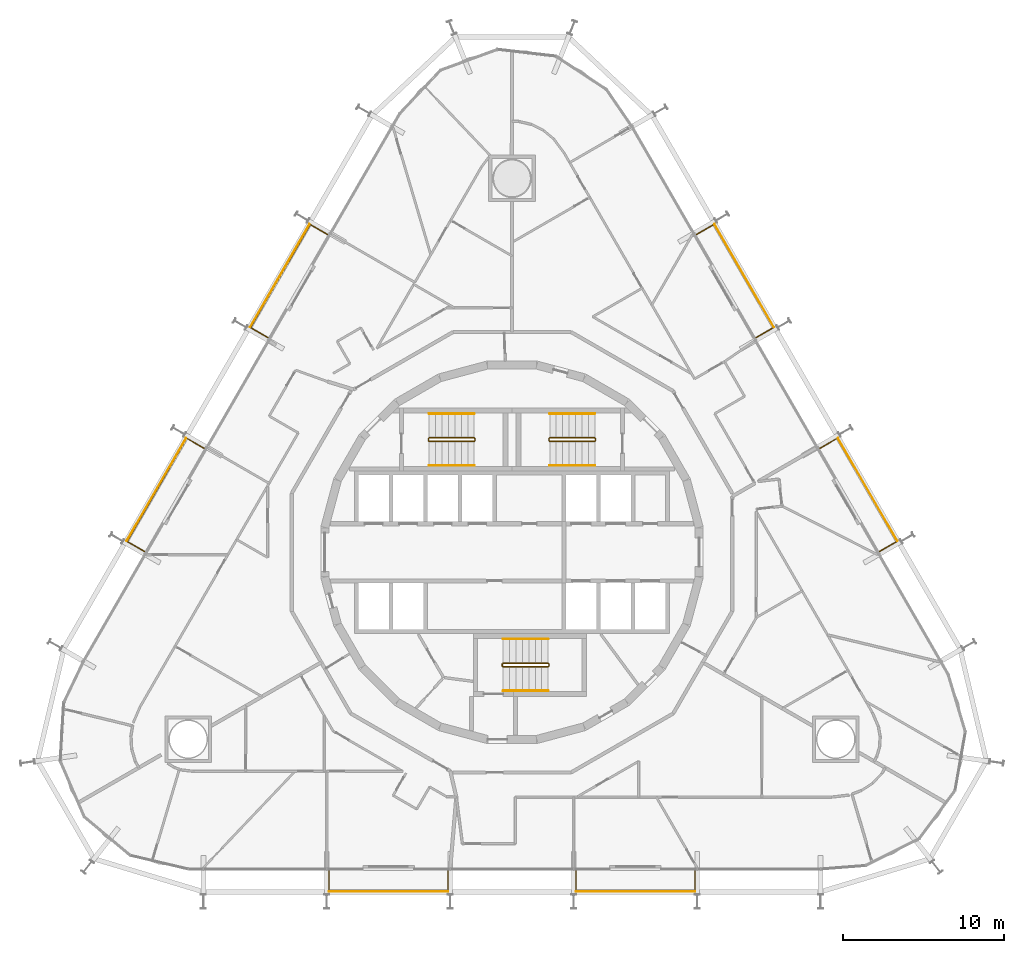
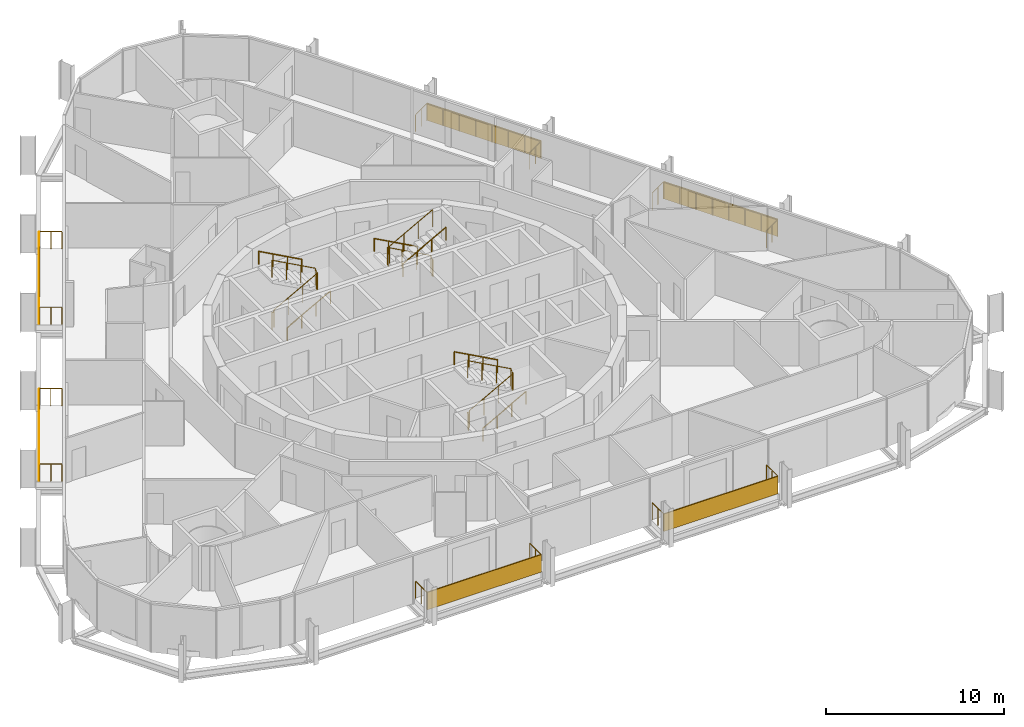
# One storey, part 20 of 20: 15 railings, 6 shading devices.
"""IFC4 building model written with IfcOpenShell, lengths in metres."""

from ifc_helpers import new_model, si_unit, direction, frame, origin, origin_2d, place, context, subcontext, project, spatial, rectangle, circle, extrude, material, layer, layer_set, type_object, element, save


model = new_model("IFC4")

# Units and contexts
model_context = context("Model", 3, precision=1e-05, world=origin(), true_north=direction((0.0, 1.0)))
body_context = subcontext(model_context, "Body", "Model", "MODEL_VIEW")
ifc_project = project(units=[si_unit("LENGTHUNIT", "METRE"), si_unit("AREAUNIT", "SQUARE_METRE"), si_unit("VOLUMEUNIT", "CUBIC_METRE"), si_unit("PLANEANGLEUNIT", "RADIAN"), si_unit("MASSUNIT", "GRAM", prefix="KILO")], contexts=[model_context])

# Site, building, storey
site_placement = place(None, origin())
site = spatial("IfcSite", under=ifc_project, at=site_placement, CompositionType="ELEMENT")
building_placement = place(site_placement, origin())
building = spatial("IfcBuilding", under=site, at=building_placement, Name="Spindle Arch Residences", CompositionType="ELEMENT")
storey_placement = place(building_placement, frame((0.0, 0.0, 66.39990234375)))
storey = spatial("IfcBuildingStorey", under=building, at=storey_placement, Name="L15", CompositionType="ELEMENT", Elevation=66.39990234375)

# Railings
ifc_material_1 = material(Name="Bronze anodised aluminium guard with glass infill", Category="aluminium")
railing_type_1 = type_object("IfcRailingType", Name="Balcony guard 1200", PredefinedType="GUARDRAIL", material=ifc_material_1)
railing_1_placement = place(storey_placement, frame((3.97509765625, -19.81982421875, 0.0)))
element("IfcRailing", 1, at=railing_1_placement, inside=storey, type_object=railing_type_1, Name="Guard L15 bay 1", PredefinedType="GUARDRAIL", context=body_context, shape_type="SweptSolid", body=[
    extrude(circle(Radius=0.02392578125, at=origin_2d()), frame((0.0, 0.0, 1.17578125), z_axis=(0.0, -1.0, 0.0), x_axis=(1.0, 0.0, 0.0)), (0.0, 0.0, 1.0), 1.25),
    extrude(circle(Radius=0.02392578125, at=origin_2d()), frame((0.0, -1.25, 1.17578125), z_axis=(1.0, 0.0, 0.0), x_axis=(0.0, 1.0, 0.0)), (0.0, 0.0, 1.0), 7.409912109375),
    extrude(circle(Radius=0.02392578125, at=origin_2d()), frame((7.409912109375, -1.25, 1.17578125), z_axis=(0.0, 1.0, 0.0), x_axis=(-1.0, 0.0, 0.0)), (0.0, 0.0, 1.0), 1.25),
    extrude(circle(Radius=0.02099609375, at=origin_2d()), origin(), (0.0, 0.0, 1.0), 1.15185546875),
    extrude(circle(Radius=0.02099609375, at=origin_2d()), frame((0.0, -0.625, 0.0)), (0.0, 0.0, 1.0), 1.15185546875),
    extrude(circle(Radius=0.02099609375, at=origin_2d()), frame((0.0, -1.25, 0.0)), (0.0, 0.0, 1.0), 1.15185546875),
    extrude(circle(Radius=0.02099609375, at=origin_2d()), frame((1.05859375, -1.25, 0.0)), (0.0, 0.0, 1.0), 1.15185546875),
    extrude(circle(Radius=0.02099609375, at=origin_2d()), frame((2.1171875, -1.25, 0.0)), (0.0, 0.0, 1.0), 1.15185546875),
    extrude(circle(Radius=0.02099609375, at=origin_2d()), frame((3.17578125, -1.25, 0.0)), (0.0, 0.0, 1.0), 1.15185546875),
    extrude(circle(Radius=0.02099609375, at=origin_2d()), frame((4.234130859375, -1.25, 0.0)), (0.0, 0.0, 1.0), 1.15185546875),
    extrude(circle(Radius=0.02099609375, at=origin_2d()), frame((5.292724609375, -1.25, 0.0)), (0.0, 0.0, 1.0), 1.15185546875),
    extrude(circle(Radius=0.02099609375, at=origin_2d()), frame((6.351318359375, -1.25, 0.0)), (0.0, 0.0, 1.0), 1.15185546875),
    extrude(circle(Radius=0.02099609375, at=origin_2d()), frame((7.409912109375, -1.25, 0.0)), (0.0, 0.0, 1.0), 1.15185546875),
    extrude(circle(Radius=0.02099609375, at=origin_2d()), frame((7.409912109375, -0.625, 0.0)), (0.0, 0.0, 1.0), 1.15185546875),
    extrude(circle(Radius=0.02099609375, at=origin_2d()), frame((7.409912109375, 0.0, 0.0)), (0.0, 0.0, 1.0), 1.15185546875),
])
railing_2_placement = place(storey_placement, frame((22.857177734375, 0.050048828125, 0.0)))
element("IfcRailing", 2, at=railing_2_placement, inside=storey, type_object=railing_type_1, Name="Guard L15 bay 7", PredefinedType="GUARDRAIL", context=body_context, shape_type="SweptSolid", body=[
    extrude(circle(Radius=0.02392578125, at=origin_2d()), frame((0.0, 0.0, 1.17578125), z_axis=(0.866022959057, 0.500004234368, 0.0), x_axis=(-0.500004234368, 0.866022959057, 0.0)), (0.0, 0.0, 1.0), 1.25),
    extrude(circle(Radius=0.02392578125, at=origin_2d()), frame((1.08251953125, 0.625, 1.17578125), z_axis=(-0.499994337101, 0.866028673236, 0.0), x_axis=(-0.866028673236, -0.499994337101, 0.0)), (0.0, 0.0, 1.0), 7.41015625),
    extrude(circle(Radius=0.02392578125, at=origin_2d()), frame((-2.62255859375, 7.04248046875, 1.17578125), z_axis=(-0.866022959057, -0.500004234368, 0.0), x_axis=(0.500004234368, -0.866022959057, 0.0)), (0.0, 0.0, 1.0), 1.25),
    extrude(circle(Radius=0.02099609375, at=origin_2d()), origin(), (0.0, 0.0, 1.0), 1.15185546875),
    extrude(circle(Radius=0.02099609375, at=origin_2d()), frame((0.541259765625, 0.3125, 0.0)), (0.0, 0.0, 1.0), 1.15185546875),
    extrude(circle(Radius=0.02099609375, at=origin_2d()), frame((1.08251953125, 0.625, 0.0)), (0.0, 0.0, 1.0), 1.15185546875),
    extrude(circle(Radius=0.02099609375, at=origin_2d()), frame((0.55322265625, 1.541748046875, 0.0)), (0.0, 0.0, 1.0), 1.15185546875),
    extrude(circle(Radius=0.02099609375, at=origin_2d()), frame((0.02392578125, 2.45849609375, 0.0)), (0.0, 0.0, 1.0), 1.15185546875),
    extrude(circle(Radius=0.02099609375, at=origin_2d()), frame((-0.50537109375, 3.375244140625, 0.0)), (0.0, 0.0, 1.0), 1.15185546875),
    extrude(circle(Radius=0.02099609375, at=origin_2d()), frame((-1.03466796875, 4.292236328125, 0.0)), (0.0, 0.0, 1.0), 1.15185546875),
    extrude(circle(Radius=0.02099609375, at=origin_2d()), frame((-1.56396484375, 5.208984375, 0.0)), (0.0, 0.0, 1.0), 1.15185546875),
    extrude(circle(Radius=0.02099609375, at=origin_2d()), frame((-2.09326171875, 6.125732421875, 0.0)), (0.0, 0.0, 1.0), 1.15185546875),
    extrude(circle(Radius=0.02099609375, at=origin_2d()), frame((-2.62255859375, 7.04248046875, 0.0)), (0.0, 0.0, 1.0), 1.15185546875),
    extrude(circle(Radius=0.02099609375, at=origin_2d()), frame((-3.163818359375, 6.72998046875, 0.0)), (0.0, 0.0, 1.0), 1.15185546875),
    extrude(circle(Radius=0.02099609375, at=origin_2d()), frame((-3.705078125, 6.41748046875, 0.0)), (0.0, 0.0, 1.0), 1.15185546875),
])
railing_3_placement = place(storey_placement, frame((15.177001953125, 13.3525390625, 0.0)))
element("IfcRailing", 3, at=railing_3_placement, inside=storey, type_object=railing_type_1, Name="Guard L15 bay 9", PredefinedType="GUARDRAIL", context=body_context, shape_type="SweptSolid", body=[
    extrude(circle(Radius=0.02392578125, at=origin_2d()), frame((0.0, 0.0, 1.17578125), z_axis=(0.866022959057, 0.500004234368, 0.0), x_axis=(-0.500004234368, 0.866022959057, 0.0)), (0.0, 0.0, 1.0), 1.25),
    extrude(circle(Radius=0.02392578125, at=origin_2d()), frame((1.08251953125, 0.625, 1.17578125), z_axis=(-0.500008603535, 0.866020436474, 0.0), x_axis=(-0.866020436474, -0.500008603535, 0.0)), (0.0, 0.0, 1.0), 7.409912109375),
    extrude(circle(Radius=0.02392578125, at=origin_2d()), frame((-2.62255859375, 7.042236328125, 1.17578125), z_axis=(-0.866022959057, -0.500004234368, 0.0), x_axis=(0.500004234368, -0.866022959057, 0.0)), (0.0, 0.0, 1.0), 1.25),
    extrude(circle(Radius=0.02099609375, at=origin_2d()), origin(), (0.0, 0.0, 1.0), 1.15185546875),
    extrude(circle(Radius=0.02099609375, at=origin_2d()), frame((0.541259765625, 0.3125, 0.0)), (0.0, 0.0, 1.0), 1.15185546875),
    extrude(circle(Radius=0.02099609375, at=origin_2d()), frame((1.08251953125, 0.625, 0.0)), (0.0, 0.0, 1.0), 1.15185546875),
    extrude(circle(Radius=0.02099609375, at=origin_2d()), frame((0.55322265625, 1.541748046875, 0.0)), (0.0, 0.0, 1.0), 1.15185546875),
    extrude(circle(Radius=0.02099609375, at=origin_2d()), frame((0.02392578125, 2.45849609375, 0.0)), (0.0, 0.0, 1.0), 1.15185546875),
    extrude(circle(Radius=0.02099609375, at=origin_2d()), frame((-0.50537109375, 3.375244140625, 0.0)), (0.0, 0.0, 1.0), 1.15185546875),
    extrude(circle(Radius=0.02099609375, at=origin_2d()), frame((-1.03466796875, 4.2919921875, 0.0)), (0.0, 0.0, 1.0), 1.15185546875),
    extrude(circle(Radius=0.02099609375, at=origin_2d()), frame((-1.56396484375, 5.208740234375, 0.0)), (0.0, 0.0, 1.0), 1.15185546875),
    extrude(circle(Radius=0.02099609375, at=origin_2d()), frame((-2.09326171875, 6.12548828125, 0.0)), (0.0, 0.0, 1.0), 1.15185546875),
    extrude(circle(Radius=0.02099609375, at=origin_2d()), frame((-2.62255859375, 7.042236328125, 0.0)), (0.0, 0.0, 1.0), 1.15185546875),
    extrude(circle(Radius=0.02099609375, at=origin_2d()), frame((-3.163818359375, 6.729736328125, 0.0)), (0.0, 0.0, 1.0), 1.15185546875),
    extrude(circle(Radius=0.02099609375, at=origin_2d()), frame((-3.705078125, 6.417236328125, 0.0)), (0.0, 0.0, 1.0), 1.15185546875),
])
railing_4_placement = place(storey_placement, frame((-11.471923828125, 19.769775390625, 0.0)))
element("IfcRailing", 4, at=railing_4_placement, inside=storey, type_object=railing_type_1, Name="Guard L15 bay 15", PredefinedType="GUARDRAIL", context=body_context, shape_type="SweptSolid", body=[
    extrude(circle(Radius=0.02392578125, at=origin_2d()), frame((0.0, 0.0, 1.17578125), z_axis=(-0.866022959057, 0.500004234368, 0.0), x_axis=(-0.500004234368, -0.866022959057, 0.0)), (0.0, 0.0, 1.0), 1.25),
    extrude(circle(Radius=0.02392578125, at=origin_2d()), frame((-1.08251953125, 0.625, 1.17578125), z_axis=(-0.500008603535, -0.866020436474, 0.0), x_axis=(0.866020436474, -0.500008603535, 0.0)), (0.0, 0.0, 1.0), 7.409912109375),
    extrude(circle(Radius=0.02392578125, at=origin_2d()), frame((-4.78759765625, -5.792236328125, 1.17578125), z_axis=(0.866022959057, -0.500004234368, 0.0), x_axis=(0.500004234368, 0.866022959057, 0.0)), (0.0, 0.0, 1.0), 1.25),
    extrude(circle(Radius=0.02099609375, at=origin_2d()), origin(), (0.0, 0.0, 1.0), 1.15185546875),
    extrude(circle(Radius=0.02099609375, at=origin_2d()), frame((-0.541259765625, 0.3125, 0.0)), (0.0, 0.0, 1.0), 1.15185546875),
    extrude(circle(Radius=0.02099609375, at=origin_2d()), frame((-1.08251953125, 0.625, 0.0)), (0.0, 0.0, 1.0), 1.15185546875),
    extrude(circle(Radius=0.02099609375, at=origin_2d()), frame((-1.61181640625, -0.291748046875, 0.0)), (0.0, 0.0, 1.0), 1.15185546875),
    extrude(circle(Radius=0.02099609375, at=origin_2d()), frame((-2.14111328125, -1.20849609375, 0.0)), (0.0, 0.0, 1.0), 1.15185546875),
    extrude(circle(Radius=0.02099609375, at=origin_2d()), frame((-2.67041015625, -2.125244140625, 0.0)), (0.0, 0.0, 1.0), 1.15185546875),
    extrude(circle(Radius=0.02099609375, at=origin_2d()), frame((-3.19970703125, -3.0419921875, 0.0)), (0.0, 0.0, 1.0), 1.15185546875),
    extrude(circle(Radius=0.02099609375, at=origin_2d()), frame((-3.72900390625, -3.958740234375, 0.0)), (0.0, 0.0, 1.0), 1.15185546875),
    extrude(circle(Radius=0.02099609375, at=origin_2d()), frame((-4.25830078125, -4.87548828125, 0.0)), (0.0, 0.0, 1.0), 1.15185546875),
    extrude(circle(Radius=0.02099609375, at=origin_2d()), frame((-4.78759765625, -5.792236328125, 0.0)), (0.0, 0.0, 1.0), 1.15185546875),
    extrude(circle(Radius=0.02099609375, at=origin_2d()), frame((-4.246337890625, -6.104736328125, 0.0)), (0.0, 0.0, 1.0), 1.15185546875),
    extrude(circle(Radius=0.02099609375, at=origin_2d()), frame((-3.705078125, -6.417236328125, 0.0)), (0.0, 0.0, 1.0), 1.15185546875),
])
railing_5_placement = place(storey_placement, frame((-19.152099609375, 6.467529296875, 0.0)))
element("IfcRailing", 5, at=railing_5_placement, inside=storey, type_object=railing_type_1, Name="Guard L15 bay 17", PredefinedType="GUARDRAIL", context=body_context, shape_type="SweptSolid", body=[
    extrude(circle(Radius=0.02392578125, at=origin_2d()), frame((0.0, 0.0, 1.17578125), z_axis=(-0.866022959057, 0.500004234368, 0.0), x_axis=(-0.500004234368, -0.866022959057, 0.0)), (0.0, 0.0, 1.0), 1.25),
    extrude(circle(Radius=0.02392578125, at=origin_2d()), frame((-1.08251953125, 0.625, 1.17578125), z_axis=(-0.499994337101, -0.866028673236, 0.0), x_axis=(0.866028673236, -0.499994337101, 0.0)), (0.0, 0.0, 1.0), 7.41015625),
    extrude(circle(Radius=0.02392578125, at=origin_2d()), frame((-4.78759765625, -5.79248046875, 1.17578125), z_axis=(0.866022959057, -0.500004234368, 0.0), x_axis=(0.500004234368, 0.866022959057, 0.0)), (0.0, 0.0, 1.0), 1.25),
    extrude(circle(Radius=0.02099609375, at=origin_2d()), origin(), (0.0, 0.0, 1.0), 1.15185546875),
    extrude(circle(Radius=0.02099609375, at=origin_2d()), frame((-0.541259765625, 0.3125, 0.0)), (0.0, 0.0, 1.0), 1.15185546875),
    extrude(circle(Radius=0.02099609375, at=origin_2d()), frame((-1.08251953125, 0.625, 0.0)), (0.0, 0.0, 1.0), 1.15185546875),
    extrude(circle(Radius=0.02099609375, at=origin_2d()), frame((-1.61181640625, -0.291748046875, 0.0)), (0.0, 0.0, 1.0), 1.15185546875),
    extrude(circle(Radius=0.02099609375, at=origin_2d()), frame((-2.14111328125, -1.20849609375, 0.0)), (0.0, 0.0, 1.0), 1.15185546875),
    extrude(circle(Radius=0.02099609375, at=origin_2d()), frame((-2.67041015625, -2.125244140625, 0.0)), (0.0, 0.0, 1.0), 1.15185546875),
    extrude(circle(Radius=0.02099609375, at=origin_2d()), frame((-3.19970703125, -3.042236328125, 0.0)), (0.0, 0.0, 1.0), 1.15185546875),
    extrude(circle(Radius=0.02099609375, at=origin_2d()), frame((-3.72900390625, -3.958984375, 0.0)), (0.0, 0.0, 1.0), 1.15185546875),
    extrude(circle(Radius=0.02099609375, at=origin_2d()), frame((-4.25830078125, -4.875732421875, 0.0)), (0.0, 0.0, 1.0), 1.15185546875),
    extrude(circle(Radius=0.02099609375, at=origin_2d()), frame((-4.78759765625, -5.79248046875, 0.0)), (0.0, 0.0, 1.0), 1.15185546875),
    extrude(circle(Radius=0.02099609375, at=origin_2d()), frame((-4.246337890625, -6.10498046875, 0.0)), (0.0, 0.0, 1.0), 1.15185546875),
    extrude(circle(Radius=0.02099609375, at=origin_2d()), frame((-3.705078125, -6.41748046875, 0.0)), (0.0, 0.0, 1.0), 1.15185546875),
])
railing_6_placement = place(storey_placement, frame((-11.385009765625, -19.81982421875, 0.0)))
element("IfcRailing", 6, at=railing_6_placement, inside=storey, type_object=railing_type_1, Name="Guard L15 bay 23", PredefinedType="GUARDRAIL", context=body_context, shape_type="SweptSolid", body=[
    extrude(circle(Radius=0.02392578125, at=origin_2d()), frame((0.0, 0.0, 1.17578125), z_axis=(0.0, -1.0, 0.0), x_axis=(1.0, 0.0, 0.0)), (0.0, 0.0, 1.0), 1.25),
    extrude(circle(Radius=0.02392578125, at=origin_2d()), frame((0.0, -1.25, 1.17578125), z_axis=(1.0, 0.0, 0.0), x_axis=(0.0, 1.0, 0.0)), (0.0, 0.0, 1.0), 7.409912109375),
    extrude(circle(Radius=0.02392578125, at=origin_2d()), frame((7.409912109375, -1.25, 1.17578125), z_axis=(0.0, 1.0, 0.0), x_axis=(-1.0, 0.0, 0.0)), (0.0, 0.0, 1.0), 1.25),
    extrude(circle(Radius=0.02099609375, at=origin_2d()), origin(), (0.0, 0.0, 1.0), 1.15185546875),
    extrude(circle(Radius=0.02099609375, at=origin_2d()), frame((0.0, -0.625, 0.0)), (0.0, 0.0, 1.0), 1.15185546875),
    extrude(circle(Radius=0.02099609375, at=origin_2d()), frame((0.0, -1.25, 0.0)), (0.0, 0.0, 1.0), 1.15185546875),
    extrude(circle(Radius=0.02099609375, at=origin_2d()), frame((1.05859375, -1.25, 0.0)), (0.0, 0.0, 1.0), 1.15185546875),
    extrude(circle(Radius=0.02099609375, at=origin_2d()), frame((2.1171875, -1.25, 0.0)), (0.0, 0.0, 1.0), 1.15185546875),
    extrude(circle(Radius=0.02099609375, at=origin_2d()), frame((3.17578125, -1.25, 0.0)), (0.0, 0.0, 1.0), 1.15185546875),
    extrude(circle(Radius=0.02099609375, at=origin_2d()), frame((4.234130859375, -1.25, 0.0)), (0.0, 0.0, 1.0), 1.15185546875),
    extrude(circle(Radius=0.02099609375, at=origin_2d()), frame((5.292724609375, -1.25, 0.0)), (0.0, 0.0, 1.0), 1.15185546875),
    extrude(circle(Radius=0.02099609375, at=origin_2d()), frame((6.351318359375, -1.25, 0.0)), (0.0, 0.0, 1.0), 1.15185546875),
    extrude(circle(Radius=0.02099609375, at=origin_2d()), frame((7.409912109375, -1.25, 0.0)), (0.0, 0.0, 1.0), 1.15185546875),
    extrude(circle(Radius=0.02099609375, at=origin_2d()), frame((7.409912109375, -0.625, 0.0)), (0.0, 0.0, 1.0), 1.15185546875),
    extrude(circle(Radius=0.02099609375, at=origin_2d()), frame((7.409912109375, 0.0, 0.0)), (0.0, 0.0, 1.0), 1.15185546875),
])

# Shading devices
ifc_material_2 = material(Name="Bronze perforated cobogo screen")
ifc_layer = layer(ifc_material_2, 0.0390625)
ifc_layer_set = layer_set([ifc_layer], Name="Cobogo screen 1200")
shading_device_type = type_object("IfcShadingDeviceType", Name="Cobogo screen 1200", PredefinedType="USERDEFINED", material=ifc_layer_set)
for number, where, z_axis, x_axis, name in (
    (7, (7.68017578125, -21.1103515625, 0.0), (0.0, 0.0, 1.0), (1.0, 0.0, 0.0), "Cobogo screen L15 bay 1"),
    (8, (22.1220703125, 3.904052734375, 0.0), (0.0, 0.0, 1.0), (-0.5, 0.866025403784, 0.0), "Cobogo screen L15 bay 7"),
    (9, (14.442138671875, 17.206298828125, 0.0), (0.0, 0.0, 1.0), (-0.5, 0.866025403784, 0.0), "Cobogo screen L15 bay 9"),
    (10, (-14.442138671875, 17.206298828125, 0.0), (0.0, 0.0, 1.0), (-0.5, -0.866025403784, 0.0), "Cobogo screen L15 bay 15"),
    (11, (-22.1220703125, 3.904052734375, 0.0), (0.0, 0.0, 1.0), (-0.5, -0.866025403784, 0.0), "Cobogo screen L15 bay 17"),
    (12, (-7.68017578125, -21.1103515625, 0.0), (0.0, 0.0, 1.0), (1.0, 0.0, 0.0), "Cobogo screen L15 bay 23"),
):
    element("IfcShadingDevice", number, at=place(storey_placement, frame(where, z_axis=z_axis, x_axis=x_axis)), inside=storey, type_object=shading_device_type, Name=name, ObjectType="SCREEN", PredefinedType="USERDEFINED", context=body_context, shape_type="SweptSolid", body=[
        extrude(rectangle(XDim=7.41015625, YDim=0.0390625, at=origin_2d()), origin(), (0.0, 0.0, 1.0), 1.199951171875),
    ])

# Railings
ifc_material_3 = material(Name="Steel, painted", Category="steel")
railing_type_2 = type_object("IfcRailingType", Name="Stair guard 1100", PredefinedType="GUARDRAIL", material=ifc_material_3)
railing_7_placement = place(storey_placement, frame((5.14990234375, 6.89990234375, 3.5)))
element("IfcRailing", 13, at=railing_7_placement, inside=storey, type_object=railing_type_2, Name="L15 ST1 stair guard 1", PredefinedType="GUARDRAIL", context=body_context, shape_type="SweptSolid", body=[
    extrude(circle(Radius=0.02392578125, at=origin_2d()), frame((0.0, 0.0, 1.17578125), z_axis=(-0.877357048833, 0.0, -0.479838106931), x_axis=(0.0, -1.0, 0.0)), (0.0, 0.0, 1.0), 3.191162109375),
    extrude(circle(Radius=0.02392578125, at=origin_2d()), frame((-2.7998046875, 0.0, -0.35546875), z_axis=(-0.217683172539, 0.217683172539, -0.951434744366), x_axis=(-0.707106781187, -0.707106781187, 0.0)), (0.0, 0.0, 1.0), 0.22998046875),
    extrude(circle(Radius=0.02392578125, at=origin_2d()), frame((-2.849853515625, 0.050048828125, -0.57421875), z_axis=(0.0, 1.0, 0.0), x_axis=(-1.0, 0.0, 0.0)), (0.0, 0.0, 1.0), 0.1201171875),
    extrude(circle(Radius=0.02392578125, at=origin_2d()), frame((-2.849853515625, 0.170166015625, -0.57421875), z_axis=(0.707106781187, 0.707106781187, 0.0), x_axis=(-0.707106781187, 0.707106781187, 0.0)), (0.0, 0.0, 1.0), 0.07080078125),
    extrude(circle(Radius=0.02392578125, at=origin_2d()), frame((-2.7998046875, 0.22021484375, -0.57421875), z_axis=(0.877357048833, 0.0, -0.479838106931), x_axis=(0.0, 1.0, 0.0)), (0.0, 0.0, 1.0), 3.191162109375),
    extrude(circle(Radius=0.02392578125, at=origin_2d()), frame((0.0, 0.22021484375, -2.10546875), z_axis=(0.217683172539, -0.217683172539, -0.951434744366), x_axis=(0.707106781187, 0.707106781187, 0.0)), (0.0, 0.0, 1.0), 0.22998046875),
    extrude(circle(Radius=0.02392578125, at=origin_2d()), frame((0.050048828125, 0.170166015625, -2.32421875), z_axis=(0.0, -1.0, 0.0), x_axis=(1.0, 0.0, 0.0)), (0.0, 0.0, 1.0), 0.1201171875),
    extrude(circle(Radius=0.02099609375, at=origin_2d()), origin(), (0.0, 0.0, 1.0), 1.15185546875),
    extrude(circle(Radius=0.02099609375, at=origin_2d()), frame((-0.933349609375, 0.0, -0.510498046875)), (0.0, 0.0, 1.0), 1.15185546875),
    extrude(circle(Radius=0.02099609375, at=origin_2d()), frame((-1.866455078125, 0.0, -1.020751953125)), (0.0, 0.0, 1.0), 1.15185546875),
    extrude(circle(Radius=0.02099609375, at=origin_2d()), frame((-2.7998046875, 0.0, -1.53125)), (0.0, 0.0, 1.0), 1.15185546875),
    extrude(circle(Radius=0.02099609375, at=origin_2d()), frame((-2.849853515625, 0.050048828125, -1.75)), (0.0, 0.0, 1.0), 1.15185546875),
    extrude(circle(Radius=0.02099609375, at=origin_2d()), frame((-2.849853515625, 0.170166015625, -1.75)), (0.0, 0.0, 1.0), 1.15185546875),
    extrude(circle(Radius=0.02099609375, at=origin_2d()), frame((-2.7998046875, 0.22021484375, -1.75)), (0.0, 0.0, 1.0), 1.15185546875),
    extrude(circle(Radius=0.02099609375, at=origin_2d()), frame((-1.866455078125, 0.22021484375, -2.260498046875)), (0.0, 0.0, 1.0), 1.15185546875),
    extrude(circle(Radius=0.02099609375, at=origin_2d()), frame((-0.933349609375, 0.22021484375, -2.770751953125)), (0.0, 0.0, 1.0), 1.15185546875),
    extrude(circle(Radius=0.02099609375, at=origin_2d()), frame((0.0, 0.22021484375, -3.28125)), (0.0, 0.0, 1.0), 1.15185546875),
    extrude(circle(Radius=0.02099609375, at=origin_2d()), frame((0.050048828125, 0.170166015625, -3.5)), (0.0, 0.0, 1.0), 1.15185546875),
    extrude(circle(Radius=0.02099609375, at=origin_2d()), frame((0.050048828125, 0.050048828125, -3.5)), (0.0, 0.0, 1.0), 1.15185546875),
])
railing_8_placement = place(storey_placement, frame((-5.14990234375, 7.1201171875, 3.5)))
element("IfcRailing", 14, at=railing_8_placement, inside=storey, type_object=railing_type_2, Name="L15 ST2 stair guard 1", PredefinedType="GUARDRAIL", context=body_context, shape_type="SweptSolid", body=[
    extrude(circle(Radius=0.02392578125, at=origin_2d()), frame((0.0, 0.0, 1.17578125), z_axis=(0.877357048833, 0.0, -0.479838106931), x_axis=(0.0, 1.0, 0.0)), (0.0, 0.0, 1.0), 3.191162109375),
    extrude(circle(Radius=0.02392578125, at=origin_2d()), frame((2.7998046875, 0.0, -0.35546875), z_axis=(0.217683172539, -0.217683172539, -0.951434744366), x_axis=(0.707106781187, 0.707106781187, 0.0)), (0.0, 0.0, 1.0), 0.22998046875),
    extrude(circle(Radius=0.02392578125, at=origin_2d()), frame((2.849853515625, -0.050048828125, -0.57421875), z_axis=(0.0, -1.0, 0.0), x_axis=(1.0, 0.0, 0.0)), (0.0, 0.0, 1.0), 0.1201171875),
    extrude(circle(Radius=0.02392578125, at=origin_2d()), frame((2.849853515625, -0.170166015625, -0.57421875), z_axis=(-0.707106781187, -0.707106781187, 0.0), x_axis=(0.707106781187, -0.707106781187, 0.0)), (0.0, 0.0, 1.0), 0.07080078125),
    extrude(circle(Radius=0.02392578125, at=origin_2d()), frame((2.7998046875, -0.22021484375, -0.57421875), z_axis=(-0.877357048833, 0.0, -0.479838106931), x_axis=(0.0, -1.0, 0.0)), (0.0, 0.0, 1.0), 3.191162109375),
    extrude(circle(Radius=0.02392578125, at=origin_2d()), frame((0.0, -0.22021484375, -2.10546875), z_axis=(-0.217683172539, 0.217683172539, -0.951434744366), x_axis=(-0.707106781187, -0.707106781187, 0.0)), (0.0, 0.0, 1.0), 0.22998046875),
    extrude(circle(Radius=0.02392578125, at=origin_2d()), frame((-0.050048828125, -0.170166015625, -2.32421875), z_axis=(0.0, 1.0, 0.0), x_axis=(-1.0, 0.0, 0.0)), (0.0, 0.0, 1.0), 0.1201171875),
    extrude(circle(Radius=0.02099609375, at=origin_2d()), origin(), (0.0, 0.0, 1.0), 1.15185546875),
    extrude(circle(Radius=0.02099609375, at=origin_2d()), frame((0.933349609375, 0.0, -0.510498046875)), (0.0, 0.0, 1.0), 1.15185546875),
    extrude(circle(Radius=0.02099609375, at=origin_2d()), frame((1.866455078125, 0.0, -1.020751953125)), (0.0, 0.0, 1.0), 1.15185546875),
    extrude(circle(Radius=0.02099609375, at=origin_2d()), frame((2.7998046875, 0.0, -1.53125)), (0.0, 0.0, 1.0), 1.15185546875),
    extrude(circle(Radius=0.02099609375, at=origin_2d()), frame((2.849853515625, -0.050048828125, -1.75)), (0.0, 0.0, 1.0), 1.15185546875),
    extrude(circle(Radius=0.02099609375, at=origin_2d()), frame((2.849853515625, -0.170166015625, -1.75)), (0.0, 0.0, 1.0), 1.15185546875),
    extrude(circle(Radius=0.02099609375, at=origin_2d()), frame((2.7998046875, -0.22021484375, -1.75)), (0.0, 0.0, 1.0), 1.15185546875),
    extrude(circle(Radius=0.02099609375, at=origin_2d()), frame((1.866455078125, -0.22021484375, -2.260498046875)), (0.0, 0.0, 1.0), 1.15185546875),
    extrude(circle(Radius=0.02099609375, at=origin_2d()), frame((0.933349609375, -0.22021484375, -2.770751953125)), (0.0, 0.0, 1.0), 1.15185546875),
    extrude(circle(Radius=0.02099609375, at=origin_2d()), frame((0.0, -0.22021484375, -3.28125)), (0.0, 0.0, 1.0), 1.15185546875),
    extrude(circle(Radius=0.02099609375, at=origin_2d()), frame((-0.050048828125, -0.170166015625, -3.5)), (0.0, 0.0, 1.0), 1.15185546875),
    extrude(circle(Radius=0.02099609375, at=origin_2d()), frame((-0.050048828125, -0.050048828125, -3.5)), (0.0, 0.0, 1.0), 1.15185546875),
])
railing_9_placement = place(storey_placement, frame((-0.550048828125, -6.89990234375, 3.5)))
element("IfcRailing", 15, at=railing_9_placement, inside=storey, type_object=railing_type_2, Name="L15 ST3 stair guard 1", PredefinedType="GUARDRAIL", context=body_context, shape_type="SweptSolid", body=[
    extrude(circle(Radius=0.02392578125, at=origin_2d()), frame((0.0, 0.0, 1.17578125), z_axis=(0.877374661878, 0.0, -0.479805901063), x_axis=(0.0, 1.0, 0.0)), (0.0, 0.0, 1.0), 3.19140625),
    extrude(circle(Radius=0.02392578125, at=origin_2d()), frame((2.800048828125, 0.0, -0.35546875), z_axis=(0.217683172539, -0.217683172539, -0.951434744366), x_axis=(0.707106781187, 0.707106781187, 0.0)), (0.0, 0.0, 1.0), 0.22998046875),
    extrude(circle(Radius=0.02392578125, at=origin_2d()), frame((2.85009765625, -0.050048828125, -0.57421875), z_axis=(0.0, -1.0, 0.0), x_axis=(1.0, 0.0, 0.0)), (0.0, 0.0, 1.0), 0.1201171875),
    extrude(circle(Radius=0.02392578125, at=origin_2d()), frame((2.85009765625, -0.170166015625, -0.57421875), z_axis=(-0.707106781187, -0.707106781187, 0.0), x_axis=(0.707106781187, -0.707106781187, 0.0)), (0.0, 0.0, 1.0), 0.07080078125),
    extrude(circle(Radius=0.02392578125, at=origin_2d()), frame((2.800048828125, -0.22021484375, -0.57421875), z_axis=(-0.877374661878, 0.0, -0.479805901063), x_axis=(0.0, -1.0, 0.0)), (0.0, 0.0, 1.0), 3.19140625),
    extrude(circle(Radius=0.02392578125, at=origin_2d()), frame((0.0, -0.22021484375, -2.10546875), z_axis=(-0.217683172539, 0.217683172539, -0.951434744366), x_axis=(-0.707106781187, -0.707106781187, 0.0)), (0.0, 0.0, 1.0), 0.22998046875),
    extrude(circle(Radius=0.02392578125, at=origin_2d()), frame((-0.050048828125, -0.170166015625, -2.32421875), z_axis=(0.0, 1.0, 0.0), x_axis=(-1.0, 0.0, 0.0)), (0.0, 0.0, 1.0), 0.1201171875),
    extrude(circle(Radius=0.02099609375, at=origin_2d()), origin(), (0.0, 0.0, 1.0), 1.15185546875),
    extrude(circle(Radius=0.02099609375, at=origin_2d()), frame((0.933349609375, 0.0, -0.510498046875)), (0.0, 0.0, 1.0), 1.15185546875),
    extrude(circle(Radius=0.02099609375, at=origin_2d()), frame((1.86669921875, 0.0, -1.020751953125)), (0.0, 0.0, 1.0), 1.15185546875),
    extrude(circle(Radius=0.02099609375, at=origin_2d()), frame((2.800048828125, 0.0, -1.53125)), (0.0, 0.0, 1.0), 1.15185546875),
    extrude(circle(Radius=0.02099609375, at=origin_2d()), frame((2.85009765625, -0.050048828125, -1.75)), (0.0, 0.0, 1.0), 1.15185546875),
    extrude(circle(Radius=0.02099609375, at=origin_2d()), frame((2.85009765625, -0.170166015625, -1.75)), (0.0, 0.0, 1.0), 1.15185546875),
    extrude(circle(Radius=0.02099609375, at=origin_2d()), frame((2.800048828125, -0.22021484375, -1.75)), (0.0, 0.0, 1.0), 1.15185546875),
    extrude(circle(Radius=0.02099609375, at=origin_2d()), frame((1.86669921875, -0.22021484375, -2.260498046875)), (0.0, 0.0, 1.0), 1.15185546875),
    extrude(circle(Radius=0.02099609375, at=origin_2d()), frame((0.933349609375, -0.22021484375, -2.770751953125)), (0.0, 0.0, 1.0), 1.15185546875),
    extrude(circle(Radius=0.02099609375, at=origin_2d()), frame((0.0, -0.22021484375, -3.28125)), (0.0, 0.0, 1.0), 1.15185546875),
    extrude(circle(Radius=0.02099609375, at=origin_2d()), frame((-0.050048828125, -0.170166015625, -3.5)), (0.0, 0.0, 1.0), 1.15185546875),
    extrude(circle(Radius=0.02099609375, at=origin_2d()), frame((-0.050048828125, -0.050048828125, -3.5)), (0.0, 0.0, 1.0), 1.15185546875),
])
ifc_material_4 = material(Name="Steel, painted", Category="steel")
railing_type_3 = type_object("IfcRailingType", Name="Stair handrail 900", PredefinedType="HANDRAIL", material=ifc_material_4)
railing_10_placement = place(storey_placement, frame((5.14990234375, 8.6201171875, 0.21875)))
element("IfcRailing", 16, at=railing_10_placement, inside=storey, type_object=railing_type_3, Name="L15 ST1 stair handrail 1", PredefinedType="HANDRAIL", context=body_context, shape_type="SweptSolid", body=[
    extrude(circle(Radius=0.02392578125, at=origin_2d()), frame((0.0, 0.0, 0.8759765625), z_axis=(-0.877357048833, 0.0, 0.479838106931), x_axis=(0.0, -1.0, 0.0)), (0.0, 0.0, 1.0), 3.191162109375),
    extrude(circle(Radius=0.02099609375, at=origin_2d()), origin(), (0.0, 0.0, 1.0), 0.851806640625),
    extrude(circle(Radius=0.02099609375, at=origin_2d()), frame((-0.933349609375, 0.0, 0.510498046875)), (0.0, 0.0, 1.0), 0.851806640625),
    extrude(circle(Radius=0.02099609375, at=origin_2d()), frame((-1.866455078125, 0.0, 1.020751953125)), (0.0, 0.0, 1.0), 0.851806640625),
    extrude(circle(Radius=0.02099609375, at=origin_2d()), frame((-2.7998046875, 0.0, 1.53125)), (0.0, 0.0, 1.0), 0.851806640625),
])
for number, where, name in (
    (17, (2.35009765625, 5.39990234375, 1.96875), "L15 ST1 stair handrail 2"),
    (18, (-5.14990234375, 5.39990234375, 0.21875), "L15 ST2 stair handrail 1"),
):
    element("IfcRailing", number, at=place(storey_placement, frame(where)), inside=storey, type_object=railing_type_3, Name=name, PredefinedType="HANDRAIL", context=body_context, shape_type="SweptSolid", body=[
        extrude(circle(Radius=0.02392578125, at=origin_2d()), frame((0.0, 0.0, 0.8759765625), z_axis=(0.877357048833, 0.0, 0.479838106931), x_axis=(0.0, 1.0, 0.0)), (0.0, 0.0, 1.0), 3.191162109375),
        extrude(circle(Radius=0.02099609375, at=origin_2d()), origin(), (0.0, 0.0, 1.0), 0.851806640625),
        extrude(circle(Radius=0.02099609375, at=origin_2d()), frame((0.933349609375, 0.0, 0.510498046875)), (0.0, 0.0, 1.0), 0.851806640625),
        extrude(circle(Radius=0.02099609375, at=origin_2d()), frame((1.866455078125, 0.0, 1.020751953125)), (0.0, 0.0, 1.0), 0.851806640625),
        extrude(circle(Radius=0.02099609375, at=origin_2d()), frame((2.7998046875, 0.0, 1.53125)), (0.0, 0.0, 1.0), 0.851806640625),
    ])
railing_11_placement = place(storey_placement, frame((-2.35009765625, 8.6201171875, 1.96875)))
element("IfcRailing", 19, at=railing_11_placement, inside=storey, type_object=railing_type_3, Name="L15 ST2 stair handrail 2", PredefinedType="HANDRAIL", context=body_context, shape_type="SweptSolid", body=[
    extrude(circle(Radius=0.02392578125, at=origin_2d()), frame((0.0, 0.0, 0.8759765625), z_axis=(-0.877357048833, 0.0, 0.479838106931), x_axis=(0.0, -1.0, 0.0)), (0.0, 0.0, 1.0), 3.191162109375),
    extrude(circle(Radius=0.02099609375, at=origin_2d()), origin(), (0.0, 0.0, 1.0), 0.851806640625),
    extrude(circle(Radius=0.02099609375, at=origin_2d()), frame((-0.933349609375, 0.0, 0.510498046875)), (0.0, 0.0, 1.0), 0.851806640625),
    extrude(circle(Radius=0.02099609375, at=origin_2d()), frame((-1.866455078125, 0.0, 1.020751953125)), (0.0, 0.0, 1.0), 0.851806640625),
    extrude(circle(Radius=0.02099609375, at=origin_2d()), frame((-2.7998046875, 0.0, 1.53125)), (0.0, 0.0, 1.0), 0.851806640625),
])
railing_12_placement = place(storey_placement, frame((-0.550048828125, -8.6201171875, 0.21875)))
element("IfcRailing", 20, at=railing_12_placement, inside=storey, type_object=railing_type_3, Name="L15 ST3 stair handrail 1", PredefinedType="HANDRAIL", context=body_context, shape_type="SweptSolid", body=[
    extrude(circle(Radius=0.02392578125, at=origin_2d()), frame((0.0, 0.0, 0.8759765625), z_axis=(0.877374661878, 0.0, 0.479805901063), x_axis=(0.0, 1.0, 0.0)), (0.0, 0.0, 1.0), 3.19140625),
    extrude(circle(Radius=0.02099609375, at=origin_2d()), origin(), (0.0, 0.0, 1.0), 0.851806640625),
    extrude(circle(Radius=0.02099609375, at=origin_2d()), frame((0.933349609375, 0.0, 0.510498046875)), (0.0, 0.0, 1.0), 0.851806640625),
    extrude(circle(Radius=0.02099609375, at=origin_2d()), frame((1.86669921875, 0.0, 1.020751953125)), (0.0, 0.0, 1.0), 0.851806640625),
    extrude(circle(Radius=0.02099609375, at=origin_2d()), frame((2.800048828125, 0.0, 1.53125)), (0.0, 0.0, 1.0), 0.851806640625),
])
railing_13_placement = place(storey_placement, frame((2.25, -5.39990234375, 1.96875)))
element("IfcRailing", 21, at=railing_13_placement, inside=storey, type_object=railing_type_3, Name="L15 ST3 stair handrail 2", PredefinedType="HANDRAIL", context=body_context, shape_type="SweptSolid", body=[
    extrude(circle(Radius=0.02392578125, at=origin_2d()), frame((0.0, 0.0, 0.8759765625), z_axis=(-0.877374661878, 0.0, 0.479805901063), x_axis=(0.0, -1.0, 0.0)), (0.0, 0.0, 1.0), 3.19140625),
    extrude(circle(Radius=0.02099609375, at=origin_2d()), origin(), (0.0, 0.0, 1.0), 0.851806640625),
    extrude(circle(Radius=0.02099609375, at=origin_2d()), frame((-0.933349609375, 0.0, 0.510498046875)), (0.0, 0.0, 1.0), 0.851806640625),
    extrude(circle(Radius=0.02099609375, at=origin_2d()), frame((-1.86669921875, 0.0, 1.020751953125)), (0.0, 0.0, 1.0), 0.851806640625),
    extrude(circle(Radius=0.02099609375, at=origin_2d()), frame((-2.800048828125, 0.0, 1.53125)), (0.0, 0.0, 1.0), 0.851806640625),
])

save(model, "model.ifc")
